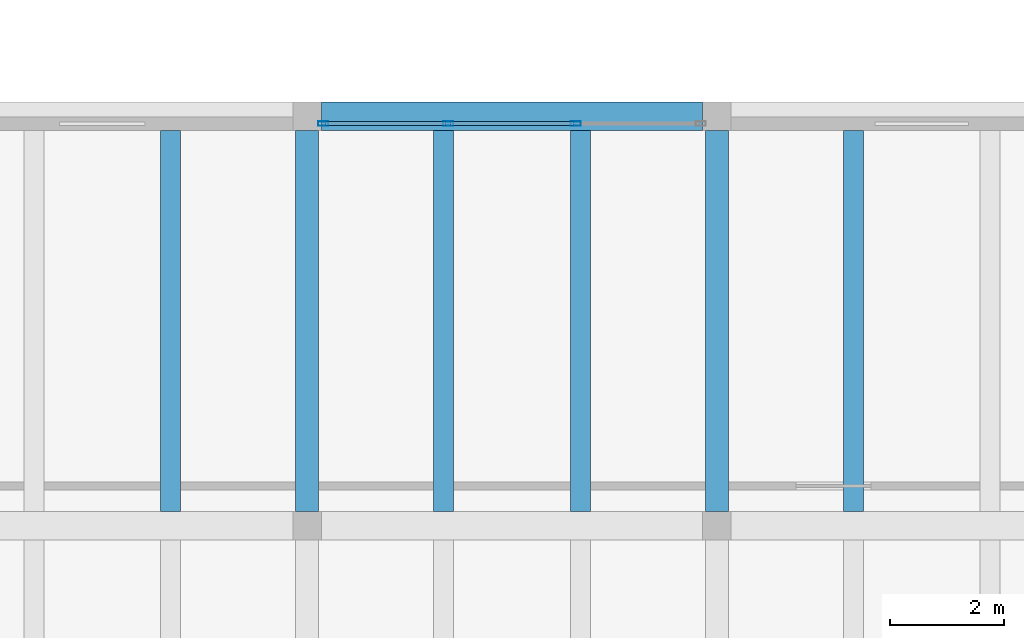
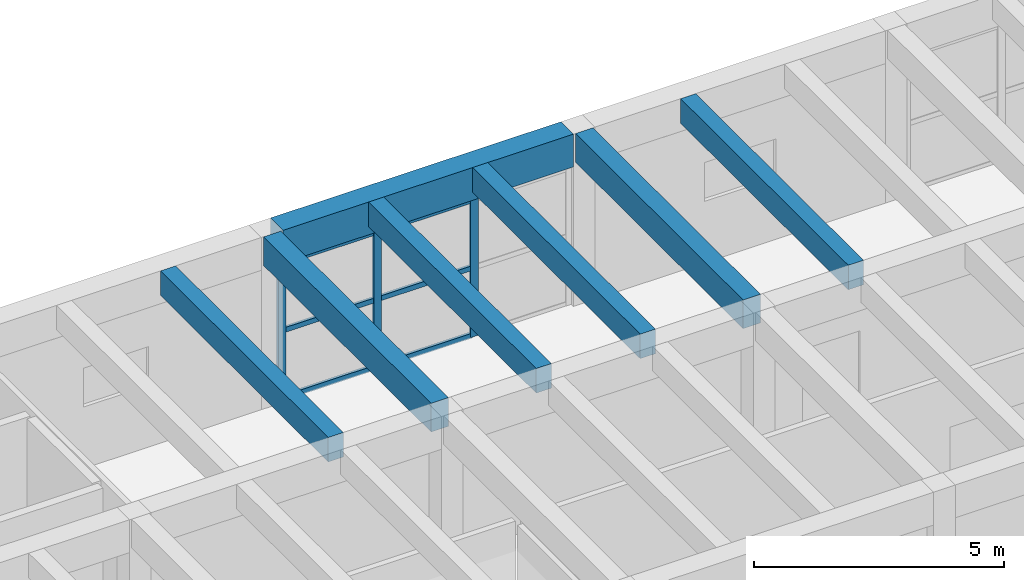
# One storey, part 57 of 153: 9 members, 7 beams, 1 element without a shape of its own.
"""IFC4 building model written with IfcOpenShell, lengths in metres."""

from ifc_helpers import new_model, si_unit, direction, frame, origin, origin_2d, place, context, subcontext, project, spatial, rectangle, hollow_rectangle, extrude, material, material_profile, profile_set, type_object, element, aggregate, save


model = new_model("IFC4")

# Units and contexts
model_context = context("Model", 3, precision=1e-05, world=origin(), true_north=direction((0.0, 1.0)))
body_context = subcontext(model_context, "Body", "Model", "MODEL_VIEW")
ifc_project = project(units=[si_unit("LENGTHUNIT", "METRE"), si_unit("AREAUNIT", "SQUARE_METRE"), si_unit("VOLUMEUNIT", "CUBIC_METRE"), si_unit("PLANEANGLEUNIT", "RADIAN"), si_unit("MASSUNIT", "GRAM", prefix="KILO")], contexts=[model_context])

# Site, building, storey
site_placement = place(None, origin())
site = spatial("IfcSite", under=ifc_project, at=site_placement, CompositionType="ELEMENT")
building_placement = place(site_placement, origin())
building = spatial("IfcBuilding", under=site, at=building_placement, Name="Bramvelor Terrace Health Centre", CompositionType="ELEMENT")
storey_placement = place(building_placement, frame((0.0, 0.0, 4.800048828125)))
storey = spatial("IfcBuildingStorey", under=building, at=storey_placement, Name="L02", CompositionType="ELEMENT", Elevation=4.800048828125)

# Beams
ifc_material_1 = material(Name="Concrete C40/50", Category="concrete")
ifc_material_profile_1 = material_profile(ifc_material_1, rectangle(XDim=0.39990234375, YDim=0.699951171875, at=origin_2d()), Name="RC 400x700")
ifc_profile_set_1 = profile_set([ifc_material_profile_1], Name="Concrete C40/50")
beam_type_1 = type_object("IfcBeamType", Name="BM-RC-G700", PredefinedType="BEAM", material=ifc_profile_set_1)
for number, where, z_axis, x_axis, name in (
    (1, (115.199951171875, 57.85009765625, 3.849853515625), (0.0, 1.0, 0.0), (-1.0, 0.0, 0.0), "L02 Floor Girder"),
    (2, (122.39990234375, 57.85009765625, 3.849853515625), (0.0, 1.0, 0.0), (-1.0, 0.0, 0.0), "L02 Floor Girder"),
):
    element("IfcBeam", number, at=place(storey_placement, frame(where, z_axis=z_axis, x_axis=x_axis)), inside=storey, type_object=beam_type_1, Name=name, PredefinedType="BEAM", context=body_context, shape_type="SweptSolid", body=[
        extrude(rectangle(XDim=0.39990234375, YDim=0.699951171875, at=origin_2d()), origin(), (0.0, 0.0, 1.0), 6.699951171875),
    ])
ifc_material_2 = material(Name="Concrete C40/50", Category="concrete")
ifc_material_profile_2 = material_profile(ifc_material_2, rectangle(XDim=0.5, YDim=0.800048828125, at=origin_2d()), Name="RC 500x800")
ifc_profile_set_2 = profile_set([ifc_material_profile_2], Name="Concrete C40/50")
beam_type_2 = type_object("IfcBeamType", Name="BM-RC-G800", PredefinedType="BEAM", material=ifc_profile_set_2)
beam_placement = place(storey_placement, frame((115.449951171875, 64.800048828125, 3.800048828125), z_axis=(1.0, 0.0, 0.0), x_axis=(0.0, 1.0, 0.0)))
element("IfcBeam", 3, at=beam_placement, inside=storey, type_object=beam_type_2, Name="L02 Floor Girder", PredefinedType="BEAM", context=body_context, shape_type="SweptSolid", body=[
    extrude(rectangle(XDim=0.5, YDim=0.800048828125, at=origin_2d()), origin(), (0.0, 0.0, 1.0), 6.699951171875),
])
ifc_material_3 = material(Name="Concrete C40/50", Category="concrete")
ifc_material_profile_3 = material_profile(ifc_material_3, rectangle(XDim=0.35009765625, YDim=0.60009765625, at=origin_2d()), Name="RC 350x600")
ifc_profile_set_3 = profile_set([ifc_material_profile_3], Name="Concrete C40/50")
beam_type_3 = type_object("IfcBeamType", Name="BM-RC-J600", PredefinedType="JOIST", material=ifc_profile_set_3)
for number, where, z_axis, x_axis, name in (
    (4, (112.800048828125, 57.85009765625, 3.89990234375), (0.0, 1.0, 0.0), (-1.0, 0.0, 0.0), "L02 Secondary Floor Joist"),
    (5, (117.60009765625, 57.85009765625, 3.89990234375), (0.0, 1.0, 0.0), (-1.0, 0.0, 0.0), "L02 Secondary Floor Joist"),
    (6, (120.0, 57.85009765625, 3.89990234375), (0.0, 1.0, 0.0), (-1.0, 0.0, 0.0), "L02 Secondary Floor Joist"),
    (7, (124.800048828125, 57.85009765625, 3.89990234375), (0.0, 1.0, 0.0), (-1.0, 0.0, 0.0), "L02 Secondary Floor Joist"),
):
    element("IfcBeam", number, at=place(storey_placement, frame(where, z_axis=z_axis, x_axis=x_axis)), inside=storey, type_object=beam_type_3, Name=name, PredefinedType="JOIST", context=body_context, shape_type="SweptSolid", body=[
        extrude(rectangle(XDim=0.35009765625, YDim=0.60009765625, at=origin_2d()), origin(), (0.0, 0.0, 1.0), 6.699951171875),
    ])

# Curtain wall, members
ifc_material_4 = material(Name="Anodized aluminium and double low-E glass", Category="aluminium")
curtain_wall_type = type_object("IfcCurtainWallType", Name="CW-SYS-16", PredefinedType="NOTDEFINED", material=ifc_material_4)
curtain_wall_placement = place(storey_placement, origin())
curtain_wall = element("IfcCurtainWall", 8, at=curtain_wall_placement, inside=storey, type_object=curtain_wall_type, Name="L02 Unitized Curtain Wall 102", PredefinedType="NOTDEFINED")
ifc_material_5 = material(Name="Anodized aluminium 6063-T6", Category="aluminium")
ifc_material_profile_4 = material_profile(ifc_material_5, hollow_rectangle(XDim=0.074951171875, YDim=0.179931640625, WallThickness=0.00341796875, at=origin_2d()), Name="ALU-MUL 75x180x3.5")
ifc_profile_set_4 = profile_set([ifc_material_profile_4], Name="Anodized aluminium 6063-T6")
member_type_1 = type_object("IfcMemberType", Name="CW-MUL-65x180", PredefinedType="MULLION", material=ifc_profile_set_4)
member_1_placement = place(storey_placement, frame((115.482421875, 64.669921875, 0.0), z_axis=(0.0, 0.0, 1.0), x_axis=(0.0, 1.0, 0.0)))
member_1 = element("IfcMember", 9, at=member_1_placement, type_object=member_type_1, Name="CW-16 mullion 1", PredefinedType="MULLION", context=body_context, shape_type="SweptSolid", body=[
    extrude(hollow_rectangle(XDim=0.074951171875, YDim=0.179931640625, WallThickness=0.00341796875, at=origin_2d()), origin(), (0.0, 0.0, 1.0), 3.35986328125),
])
member_2_placement = place(storey_placement, frame((117.681640625, 64.669921875, 0.0), z_axis=(0.0, 0.0, 1.0), x_axis=(0.0, 1.0, 0.0)))
member_2 = element("IfcMember", 10, at=member_2_placement, type_object=member_type_1, Name="CW-16 mullion 2", PredefinedType="MULLION", context=body_context, shape_type="SweptSolid", body=[
    extrude(hollow_rectangle(XDim=0.074951171875, YDim=0.179931640625, WallThickness=0.00341796875, at=origin_2d()), origin(), (0.0, 0.0, 1.0), 3.35986328125),
])
member_3_placement = place(storey_placement, frame((119.918212890625, 64.669921875, 0.0), z_axis=(0.0, 0.0, 1.0), x_axis=(0.0, 1.0, 0.0)))
member_3 = element("IfcMember", 11, at=member_3_placement, type_object=member_type_1, Name="CW-16 mullion 3", PredefinedType="MULLION", context=body_context, shape_type="SweptSolid", body=[
    extrude(hollow_rectangle(XDim=0.074951171875, YDim=0.179931640625, WallThickness=0.00341796875, at=origin_2d()), origin(), (0.0, 0.0, 1.0), 3.35986328125),
])
ifc_material_6 = material(Name="Anodized aluminium 6063-T6", Category="aluminium")
ifc_material_profile_5 = material_profile(ifc_material_6, hollow_rectangle(XDim=0.06494140625, YDim=0.1201171875, WallThickness=0.0029296875, at=origin_2d()), Name="ALU-TRN 65x120x3.0")
ifc_profile_set_5 = profile_set([ifc_material_profile_5], Name="Anodized aluminium 6063-T6")
member_type_2 = type_object("IfcMemberType", Name="CW-TRN-65x150", PredefinedType="USERDEFINED", material=ifc_profile_set_5)
member_4_placement = place(storey_placement, frame((115.52001953125, 64.669921875, 0.032470703125), z_axis=(1.0, 0.0, 0.0), x_axis=(0.0, 1.0, 0.0)))
member_4 = element("IfcMember", 12, at=member_4_placement, type_object=member_type_2, Name="CW-16 transom 1.1", ObjectType="TRANSOM", PredefinedType="USERDEFINED", context=body_context, shape_type="SweptSolid", body=[
    extrude(hollow_rectangle(XDim=0.06494140625, YDim=0.1201171875, WallThickness=0.0029296875, at=origin_2d()), origin(), (0.0, 0.0, 1.0), 2.124267578125),
])
member_5_placement = place(storey_placement, frame((115.52001953125, 64.669921875, 1.679931640625), z_axis=(1.0, 0.0, 0.0), x_axis=(0.0, 1.0, 0.0)))
member_5 = element("IfcMember", 13, at=member_5_placement, type_object=member_type_2, Name="CW-16 transom 1.2", ObjectType="TRANSOM", PredefinedType="USERDEFINED", context=body_context, shape_type="SweptSolid", body=[
    extrude(hollow_rectangle(XDim=0.06494140625, YDim=0.1201171875, WallThickness=0.0029296875, at=origin_2d()), origin(), (0.0, 0.0, 1.0), 2.124267578125),
])
member_6_placement = place(storey_placement, frame((115.52001953125, 64.669921875, 3.327392578125), z_axis=(1.0, 0.0, 0.0), x_axis=(0.0, 1.0, 0.0)))
member_6 = element("IfcMember", 14, at=member_6_placement, type_object=member_type_2, Name="CW-16 transom 1.3", ObjectType="TRANSOM", PredefinedType="USERDEFINED", context=body_context, shape_type="SweptSolid", body=[
    extrude(hollow_rectangle(XDim=0.06494140625, YDim=0.1201171875, WallThickness=0.0029296875, at=origin_2d()), origin(), (0.0, 0.0, 1.0), 2.124267578125),
])
member_7_placement = place(storey_placement, frame((117.71923828125, 64.669921875, 0.032470703125), z_axis=(1.0, 0.0, 0.0), x_axis=(0.0, 1.0, 0.0)))
member_7 = element("IfcMember", 15, at=member_7_placement, type_object=member_type_2, Name="CW-16 transom 2.1", ObjectType="TRANSOM", PredefinedType="USERDEFINED", context=body_context, shape_type="SweptSolid", body=[
    extrude(hollow_rectangle(XDim=0.06494140625, YDim=0.1201171875, WallThickness=0.0029296875, at=origin_2d()), origin(), (0.0, 0.0, 1.0), 2.16162109375),
])
member_8_placement = place(storey_placement, frame((117.71923828125, 64.669921875, 1.679931640625), z_axis=(1.0, 0.0, 0.0), x_axis=(0.0, 1.0, 0.0)))
member_8 = element("IfcMember", 16, at=member_8_placement, type_object=member_type_2, Name="CW-16 transom 2.2", ObjectType="TRANSOM", PredefinedType="USERDEFINED", context=body_context, shape_type="SweptSolid", body=[
    extrude(hollow_rectangle(XDim=0.06494140625, YDim=0.1201171875, WallThickness=0.0029296875, at=origin_2d()), origin(), (0.0, 0.0, 1.0), 2.16162109375),
])
member_9_placement = place(storey_placement, frame((117.71923828125, 64.669921875, 3.327392578125), z_axis=(1.0, 0.0, 0.0), x_axis=(0.0, 1.0, 0.0)))
member_9 = element("IfcMember", 17, at=member_9_placement, type_object=member_type_2, Name="CW-16 transom 2.3", ObjectType="TRANSOM", PredefinedType="USERDEFINED", context=body_context, shape_type="SweptSolid", body=[
    extrude(hollow_rectangle(XDim=0.06494140625, YDim=0.1201171875, WallThickness=0.0029296875, at=origin_2d()), origin(), (0.0, 0.0, 1.0), 2.16162109375),
])
aggregate(curtain_wall, [member_1, member_2, member_3, member_4, member_5, member_6, member_7, member_8, member_9])

save(model, "model.ifc")
